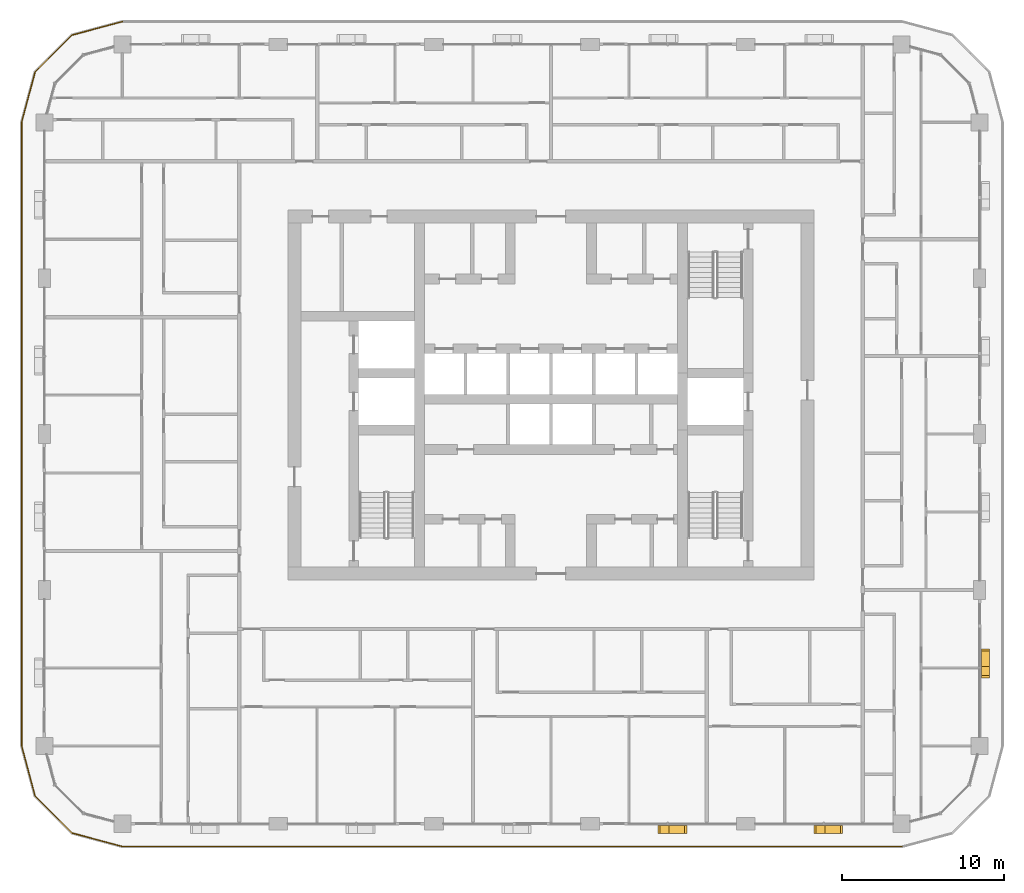
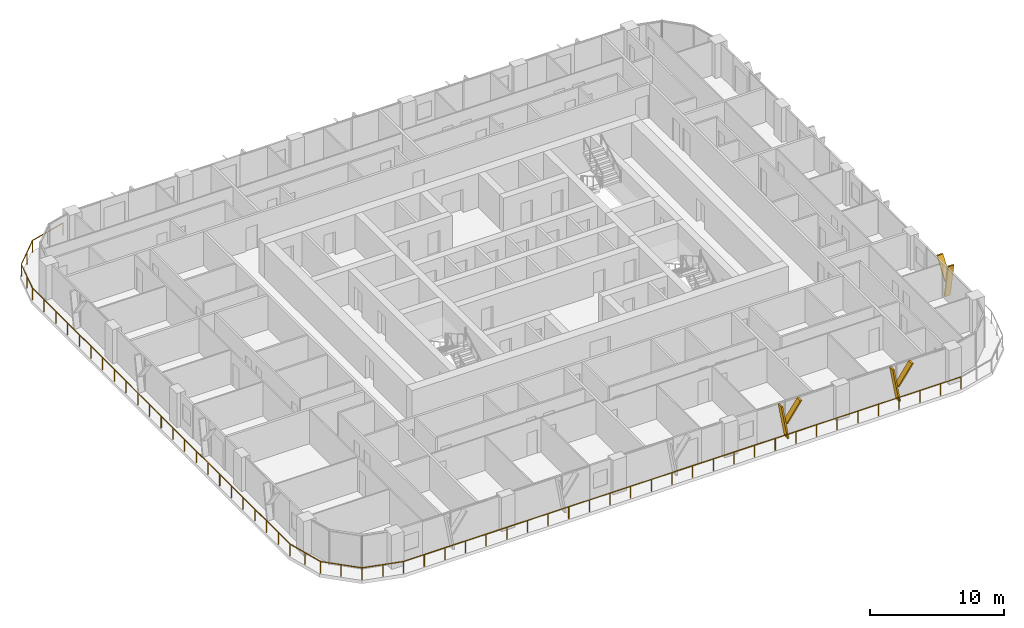
# One storey, part 19 of 22: 6 shading devices, 1 railing.
"""IFC4 building model written with IfcOpenShell, lengths in metres."""

from ifc_helpers import new_model, si_unit, direction, frame, origin, origin_2d, place, context, subcontext, project, spatial, polyline, circle, outline, extrude, material, type_object, element, save


model = new_model("IFC4")

# Units and contexts
model_context = context("Model", 3, precision=1e-05, world=origin(), true_north=direction((0.0, 1.0)))
body_context = subcontext(model_context, "Body", "Model", "MODEL_VIEW")
ifc_project = project(units=[si_unit("LENGTHUNIT", "METRE"), si_unit("AREAUNIT", "SQUARE_METRE"), si_unit("VOLUMEUNIT", "CUBIC_METRE"), si_unit("PLANEANGLEUNIT", "RADIAN"), si_unit("MASSUNIT", "GRAM", prefix="KILO")], contexts=[model_context])

# Site, building, storey
site_placement = place(None, origin())
site = spatial("IfcSite", under=ifc_project, at=site_placement, CompositionType="ELEMENT")
building_placement = place(site_placement, origin())
building = spatial("IfcBuilding", under=site, at=building_placement, Name="Madar Terraces", CompositionType="ELEMENT")
storey_placement = place(building_placement, frame((0.0, 0.0, 170.0)))
storey = spatial("IfcBuildingStorey", under=building, at=storey_placement, Name="L44", CompositionType="ELEMENT", Elevation=170.0)

# Railing
ifc_material_1 = material(Name="Glass, safety glazing, with stainless steel posts", Category="steel")
railing_type = type_object("IfcRailingType", Name="Balcony glass guard 1100", PredefinedType="GUARDRAIL", material=ifc_material_1)
railing_placement = place(storey_placement, frame((4.800048828125, 49.39990234375, 0.0)))
element("IfcRailing", 1, at=railing_placement, inside=storey, type_object=railing_type, Name="Balcony guard", PredefinedType="GUARDRAIL", context=body_context, shape_type="SweptSolid", body=[
    extrude(circle(Radius=0.02392578125, at=origin_2d()), frame((0.0, 0.0, 1.076171875), z_axis=(-0.9659337912, -0.258789317819, 0.0), x_axis=(0.258789317819, -0.9659337912, 0.0)), (0.0, 0.0, 1.0), 3.20947265625),
    extrude(circle(Radius=0.02392578125, at=origin_2d()), frame((-3.10009765625, -0.83056640625, 1.076171875), z_axis=(-0.707106781187, -0.707106781187, 0.0), x_axis=(0.707106781187, -0.707106781187, 0.0)), (0.0, 0.0, 1.0), 3.209228515625),
    extrude(circle(Radius=0.02392578125, at=origin_2d()), frame((-5.369384765625, -3.099853515625, 1.076171875), z_axis=(-0.258789317819, -0.9659337912, 0.0), x_axis=(0.9659337912, -0.258789317819, 0.0)), (0.0, 0.0, 1.0), 3.20947265625),
    extrude(circle(Radius=0.02392578125, at=origin_2d()), frame((-6.199951171875, -6.199951171875, 1.076171875), z_axis=(0.0, -1.0, 0.0), x_axis=(1.0, 0.0, 0.0)), (0.0, 0.0, 1.0), 38.39990234375),
    extrude(circle(Radius=0.02392578125, at=origin_2d()), frame((-6.199951171875, -44.599853515625, 1.076171875), z_axis=(0.258789317819, -0.9659337912, 0.0), x_axis=(0.9659337912, 0.258789317819, 0.0)), (0.0, 0.0, 1.0), 3.20947265625),
    extrude(circle(Radius=0.02392578125, at=origin_2d()), frame((-5.369384765625, -47.699951171875, 1.076171875), z_axis=(0.707106781187, -0.707106781187, 0.0), x_axis=(0.707106781187, 0.707106781187, 0.0)), (0.0, 0.0, 1.0), 3.209228515625),
    extrude(circle(Radius=0.02392578125, at=origin_2d()), frame((-3.10009765625, -49.96923828125, 1.076171875), z_axis=(0.9659337912, -0.258789317819, 0.0), x_axis=(0.258789317819, 0.9659337912, 0.0)), (0.0, 0.0, 1.0), 3.20947265625),
    extrude(circle(Radius=0.02392578125, at=origin_2d()), frame((0.0, -50.7998046875, 1.076171875), z_axis=(1.0, 0.0, 0.0), x_axis=(0.0, 1.0, 0.0)), (0.0, 0.0, 1.0), 48.0),
    extrude(circle(Radius=0.02099609375, at=origin_2d()), origin(), (0.0, 0.0, 1.0), 1.052001953125),
    extrude(circle(Radius=0.02099609375, at=origin_2d()), frame((-1.550048828125, -0.415283203125, 0.0)), (0.0, 0.0, 1.0), 1.052001953125),
    extrude(circle(Radius=0.02099609375, at=origin_2d()), frame((-3.10009765625, -0.83056640625, 0.0)), (0.0, 0.0, 1.0), 1.052001953125),
    extrude(circle(Radius=0.02099609375, at=origin_2d()), frame((-4.23486328125, -1.96533203125, 0.0)), (0.0, 0.0, 1.0), 1.052001953125),
    extrude(circle(Radius=0.02099609375, at=origin_2d()), frame((-5.369384765625, -3.099853515625, 0.0)), (0.0, 0.0, 1.0), 1.052001953125),
    extrude(circle(Radius=0.02099609375, at=origin_2d()), frame((-5.78466796875, -4.64990234375, 0.0)), (0.0, 0.0, 1.0), 1.052001953125),
    extrude(circle(Radius=0.02099609375, at=origin_2d()), frame((-6.199951171875, -6.199951171875, 0.0)), (0.0, 0.0, 1.0), 1.052001953125),
    extrude(circle(Radius=0.02099609375, at=origin_2d()), frame((-6.199951171875, -7.9453125, 0.0)), (0.0, 0.0, 1.0), 1.052001953125),
    extrude(circle(Radius=0.02099609375, at=origin_2d()), frame((-6.199951171875, -9.69091796875, 0.0)), (0.0, 0.0, 1.0), 1.052001953125),
    extrude(circle(Radius=0.02099609375, at=origin_2d()), frame((-6.199951171875, -11.436279296875, 0.0)), (0.0, 0.0, 1.0), 1.052001953125),
    extrude(circle(Radius=0.02099609375, at=origin_2d()), frame((-6.199951171875, -13.181640625, 0.0)), (0.0, 0.0, 1.0), 1.052001953125),
    extrude(circle(Radius=0.02099609375, at=origin_2d()), frame((-6.199951171875, -14.92724609375, 0.0)), (0.0, 0.0, 1.0), 1.052001953125),
    extrude(circle(Radius=0.02099609375, at=origin_2d()), frame((-6.199951171875, -16.672607421875, 0.0)), (0.0, 0.0, 1.0), 1.052001953125),
    extrude(circle(Radius=0.02099609375, at=origin_2d()), frame((-6.199951171875, -18.418212890625, 0.0)), (0.0, 0.0, 1.0), 1.052001953125),
    extrude(circle(Radius=0.02099609375, at=origin_2d()), frame((-6.199951171875, -20.16357421875, 0.0)), (0.0, 0.0, 1.0), 1.052001953125),
    extrude(circle(Radius=0.02099609375, at=origin_2d()), frame((-6.199951171875, -21.908935546875, 0.0)), (0.0, 0.0, 1.0), 1.052001953125),
    extrude(circle(Radius=0.02099609375, at=origin_2d()), frame((-6.199951171875, -23.654541015625, 0.0)), (0.0, 0.0, 1.0), 1.052001953125),
    extrude(circle(Radius=0.02099609375, at=origin_2d()), frame((-6.199951171875, -25.39990234375, 0.0)), (0.0, 0.0, 1.0), 1.052001953125),
    extrude(circle(Radius=0.02099609375, at=origin_2d()), frame((-6.199951171875, -27.145263671875, 0.0)), (0.0, 0.0, 1.0), 1.052001953125),
    extrude(circle(Radius=0.02099609375, at=origin_2d()), frame((-6.199951171875, -28.890869140625, 0.0)), (0.0, 0.0, 1.0), 1.052001953125),
    extrude(circle(Radius=0.02099609375, at=origin_2d()), frame((-6.199951171875, -30.63623046875, 0.0)), (0.0, 0.0, 1.0), 1.052001953125),
    extrude(circle(Radius=0.02099609375, at=origin_2d()), frame((-6.199951171875, -32.381591796875, 0.0)), (0.0, 0.0, 1.0), 1.052001953125),
    extrude(circle(Radius=0.02099609375, at=origin_2d()), frame((-6.199951171875, -34.127197265625, 0.0)), (0.0, 0.0, 1.0), 1.052001953125),
    extrude(circle(Radius=0.02099609375, at=origin_2d()), frame((-6.199951171875, -35.87255859375, 0.0)), (0.0, 0.0, 1.0), 1.052001953125),
    extrude(circle(Radius=0.02099609375, at=origin_2d()), frame((-6.199951171875, -37.6181640625, 0.0)), (0.0, 0.0, 1.0), 1.052001953125),
    extrude(circle(Radius=0.02099609375, at=origin_2d()), frame((-6.199951171875, -39.363525390625, 0.0)), (0.0, 0.0, 1.0), 1.052001953125),
    extrude(circle(Radius=0.02099609375, at=origin_2d()), frame((-6.199951171875, -41.10888671875, 0.0)), (0.0, 0.0, 1.0), 1.052001953125),
    extrude(circle(Radius=0.02099609375, at=origin_2d()), frame((-6.199951171875, -42.8544921875, 0.0)), (0.0, 0.0, 1.0), 1.052001953125),
    extrude(circle(Radius=0.02099609375, at=origin_2d()), frame((-6.199951171875, -44.599853515625, 0.0)), (0.0, 0.0, 1.0), 1.052001953125),
    extrude(circle(Radius=0.02099609375, at=origin_2d()), frame((-5.78466796875, -46.14990234375, 0.0)), (0.0, 0.0, 1.0), 1.052001953125),
    extrude(circle(Radius=0.02099609375, at=origin_2d()), frame((-5.369384765625, -47.699951171875, 0.0)), (0.0, 0.0, 1.0), 1.052001953125),
    extrude(circle(Radius=0.02099609375, at=origin_2d()), frame((-4.23486328125, -48.83447265625, 0.0)), (0.0, 0.0, 1.0), 1.052001953125),
    extrude(circle(Radius=0.02099609375, at=origin_2d()), frame((-3.10009765625, -49.96923828125, 0.0)), (0.0, 0.0, 1.0), 1.052001953125),
    extrude(circle(Radius=0.02099609375, at=origin_2d()), frame((-1.550048828125, -50.384521484375, 0.0)), (0.0, 0.0, 1.0), 1.052001953125),
    extrude(circle(Radius=0.02099609375, at=origin_2d()), frame((0.0, -50.7998046875, 0.0)), (0.0, 0.0, 1.0), 1.052001953125),
    extrude(circle(Radius=0.02099609375, at=origin_2d()), frame((1.77783203125, -50.7998046875, 0.0)), (0.0, 0.0, 1.0), 1.052001953125),
    extrude(circle(Radius=0.02099609375, at=origin_2d()), frame((3.5556640625, -50.7998046875, 0.0)), (0.0, 0.0, 1.0), 1.052001953125),
    extrude(circle(Radius=0.02099609375, at=origin_2d()), frame((5.333251953125, -50.7998046875, 0.0)), (0.0, 0.0, 1.0), 1.052001953125),
    extrude(circle(Radius=0.02099609375, at=origin_2d()), frame((7.111083984375, -50.7998046875, 0.0)), (0.0, 0.0, 1.0), 1.052001953125),
    extrude(circle(Radius=0.02099609375, at=origin_2d()), frame((8.888916015625, -50.7998046875, 0.0)), (0.0, 0.0, 1.0), 1.052001953125),
    extrude(circle(Radius=0.02099609375, at=origin_2d()), frame((10.666748046875, -50.7998046875, 0.0)), (0.0, 0.0, 1.0), 1.052001953125),
    extrude(circle(Radius=0.02099609375, at=origin_2d()), frame((12.4443359375, -50.7998046875, 0.0)), (0.0, 0.0, 1.0), 1.052001953125),
    extrude(circle(Radius=0.02099609375, at=origin_2d()), frame((14.22216796875, -50.7998046875, 0.0)), (0.0, 0.0, 1.0), 1.052001953125),
    extrude(circle(Radius=0.02099609375, at=origin_2d()), frame((16.0, -50.7998046875, 0.0)), (0.0, 0.0, 1.0), 1.052001953125),
    extrude(circle(Radius=0.02099609375, at=origin_2d()), frame((17.77783203125, -50.7998046875, 0.0)), (0.0, 0.0, 1.0), 1.052001953125),
    extrude(circle(Radius=0.02099609375, at=origin_2d()), frame((19.5556640625, -50.7998046875, 0.0)), (0.0, 0.0, 1.0), 1.052001953125),
    extrude(circle(Radius=0.02099609375, at=origin_2d()), frame((21.333251953125, -50.7998046875, 0.0)), (0.0, 0.0, 1.0), 1.052001953125),
    extrude(circle(Radius=0.02099609375, at=origin_2d()), frame((23.111083984375, -50.7998046875, 0.0)), (0.0, 0.0, 1.0), 1.052001953125),
    extrude(circle(Radius=0.02099609375, at=origin_2d()), frame((24.888916015625, -50.7998046875, 0.0)), (0.0, 0.0, 1.0), 1.052001953125),
    extrude(circle(Radius=0.02099609375, at=origin_2d()), frame((26.666748046875, -50.7998046875, 0.0)), (0.0, 0.0, 1.0), 1.052001953125),
    extrude(circle(Radius=0.02099609375, at=origin_2d()), frame((28.4443359375, -50.7998046875, 0.0)), (0.0, 0.0, 1.0), 1.052001953125),
    extrude(circle(Radius=0.02099609375, at=origin_2d()), frame((30.22216796875, -50.7998046875, 0.0)), (0.0, 0.0, 1.0), 1.052001953125),
    extrude(circle(Radius=0.02099609375, at=origin_2d()), frame((32.0, -50.7998046875, 0.0)), (0.0, 0.0, 1.0), 1.052001953125),
    extrude(circle(Radius=0.02099609375, at=origin_2d()), frame((33.77783203125, -50.7998046875, 0.0)), (0.0, 0.0, 1.0), 1.052001953125),
    extrude(circle(Radius=0.02099609375, at=origin_2d()), frame((35.5556640625, -50.7998046875, 0.0)), (0.0, 0.0, 1.0), 1.052001953125),
    extrude(circle(Radius=0.02099609375, at=origin_2d()), frame((37.333251953125, -50.7998046875, 0.0)), (0.0, 0.0, 1.0), 1.052001953125),
    extrude(circle(Radius=0.02099609375, at=origin_2d()), frame((39.111083984375, -50.7998046875, 0.0)), (0.0, 0.0, 1.0), 1.052001953125),
    extrude(circle(Radius=0.02099609375, at=origin_2d()), frame((40.888916015625, -50.7998046875, 0.0)), (0.0, 0.0, 1.0), 1.052001953125),
    extrude(circle(Radius=0.02099609375, at=origin_2d()), frame((42.666748046875, -50.7998046875, 0.0)), (0.0, 0.0, 1.0), 1.052001953125),
    extrude(circle(Radius=0.02099609375, at=origin_2d()), frame((44.4443359375, -50.7998046875, 0.0)), (0.0, 0.0, 1.0), 1.052001953125),
    extrude(circle(Radius=0.02099609375, at=origin_2d()), frame((46.22216796875, -50.7998046875, 0.0)), (0.0, 0.0, 1.0), 1.052001953125),
    extrude(circle(Radius=0.02099609375, at=origin_2d()), frame((48.0, -50.7998046875, 0.0)), (0.0, 0.0, 1.0), 1.052001953125),
])

# Shading devices
ifc_material_2 = material(Name="Aluminium, black anodised", Category="aluminium")
shading_device_type = type_object("IfcShadingDeviceType", Name="Facade fin blade 140 x 500", PredefinedType="USERDEFINED", material=ifc_material_2)
shading_device_1_placement = place(storey_placement, frame((38.330078125, -0.35009765625, 0.0), z_axis=(0.0, 0.0, 1.0), x_axis=(1.0, 0.0, 0.0)))
element("IfcShadingDevice", 2, at=shading_device_1_placement, inside=storey, type_object=shading_device_type, Name="FIN L44 S4", ObjectType="FIN", PredefinedType="USERDEFINED", context=body_context, shape_type="SweptSolid", body=[
    extrude(outline(polyline([(0.0, 0.0), (0.139892578125, 0.0), (-0.403076171875, 3.080078125), (-0.54296875, 3.080078125), (0.0, 0.0)])), frame((0.0, 0.25, 0.0), z_axis=(0.0, -1.0, 0.0), x_axis=(1.0, 0.0, 0.0)), (0.0, 0.0, 1.0), 0.5),
])
shading_device_2_placement = place(storey_placement, frame((38.2255859375, -0.35009765625, 1.385986328125), z_axis=(0.0, 0.0, 1.0), x_axis=(1.0, 0.0, 0.0)))
element("IfcShadingDevice", 3, at=shading_device_2_placement, inside=storey, type_object=shading_device_type, Name="FIN L44 S4 branch", ObjectType="FIN", PredefinedType="USERDEFINED", context=body_context, shape_type="SweptSolid", body=[
    extrude(outline(polyline([(0.0, 0.0), (0.14013671875, 0.0), (1.34130859375, 1.694091796875), (1.201416015625, 1.694091796875), (0.0, 0.0)])), frame((0.0, 0.25, 0.0), z_axis=(0.0, -1.0, 0.0), x_axis=(1.0, 0.0, 0.0)), (0.0, 0.0, 1.0), 0.5),
])
shading_device_3_placement = place(storey_placement, frame((47.929931640625, -0.35009765625, 0.0), z_axis=(0.0, 0.0, 1.0), x_axis=(1.0, 0.0, 0.0)))
element("IfcShadingDevice", 4, at=shading_device_3_placement, inside=storey, type_object=shading_device_type, Name="FIN L44 S5", ObjectType="FIN", PredefinedType="USERDEFINED", context=body_context, shape_type="SweptSolid", body=[
    extrude(outline(polyline([(0.0, 0.0), (0.14013671875, 0.0), (-0.403076171875, 3.080078125), (-0.54296875, 3.080078125), (0.0, 0.0)])), frame((0.0, 0.25, 0.0), z_axis=(0.0, -1.0, 0.0), x_axis=(1.0, 0.0, 0.0)), (0.0, 0.0, 1.0), 0.5),
])
shading_device_4_placement = place(storey_placement, frame((47.82568359375, -0.35009765625, 1.385986328125), z_axis=(0.0, 0.0, 1.0), x_axis=(1.0, 0.0, 0.0)))
element("IfcShadingDevice", 5, at=shading_device_4_placement, inside=storey, type_object=shading_device_type, Name="FIN L44 S5 branch", ObjectType="FIN", PredefinedType="USERDEFINED", context=body_context, shape_type="SweptSolid", body=[
    extrude(outline(polyline([(0.0, 0.0), (0.139892578125, 0.0), (1.34130859375, 1.694091796875), (1.201416015625, 1.694091796875), (0.0, 0.0)])), frame((0.0, 0.25, 0.0), z_axis=(0.0, -1.0, 0.0), x_axis=(1.0, 0.0, 0.0)), (0.0, 0.0, 1.0), 0.5),
])
shading_device_5_placement = place(storey_placement, frame((57.949951171875, 9.530029296875, 0.0), z_axis=(0.0, 0.0, 1.0), x_axis=(0.0, 1.0, 0.0)))
element("IfcShadingDevice", 6, at=shading_device_5_placement, inside=storey, type_object=shading_device_type, Name="FIN L44 E1", ObjectType="FIN", PredefinedType="USERDEFINED", context=body_context, shape_type="SweptSolid", body=[
    extrude(outline(polyline([(0.0, 0.0), (0.139892578125, 0.0), (-0.403076171875, 3.080078125), (-0.54296875, 3.080078125), (0.0, 0.0)])), frame((0.0, 0.25, 0.0), z_axis=(0.0, -1.0, 0.0), x_axis=(1.0, 0.0, 0.0)), (0.0, 0.0, 1.0), 0.5),
])
shading_device_6_placement = place(storey_placement, frame((57.949951171875, 9.425537109375, 1.385986328125), z_axis=(0.0, 0.0, 1.0), x_axis=(0.0, 1.0, 0.0)))
element("IfcShadingDevice", 7, at=shading_device_6_placement, inside=storey, type_object=shading_device_type, Name="FIN L44 E1 branch", ObjectType="FIN", PredefinedType="USERDEFINED", context=body_context, shape_type="SweptSolid", body=[
    extrude(outline(polyline([(0.0, 0.0), (0.14013671875, 0.0), (1.34130859375, 1.694091796875), (1.201416015625, 1.694091796875), (0.0, 0.0)])), frame((0.0, 0.25, 0.0), z_axis=(0.0, -1.0, 0.0), x_axis=(1.0, 0.0, 0.0)), (0.0, 0.0, 1.0), 0.5),
])

save(model, "model.ifc")
